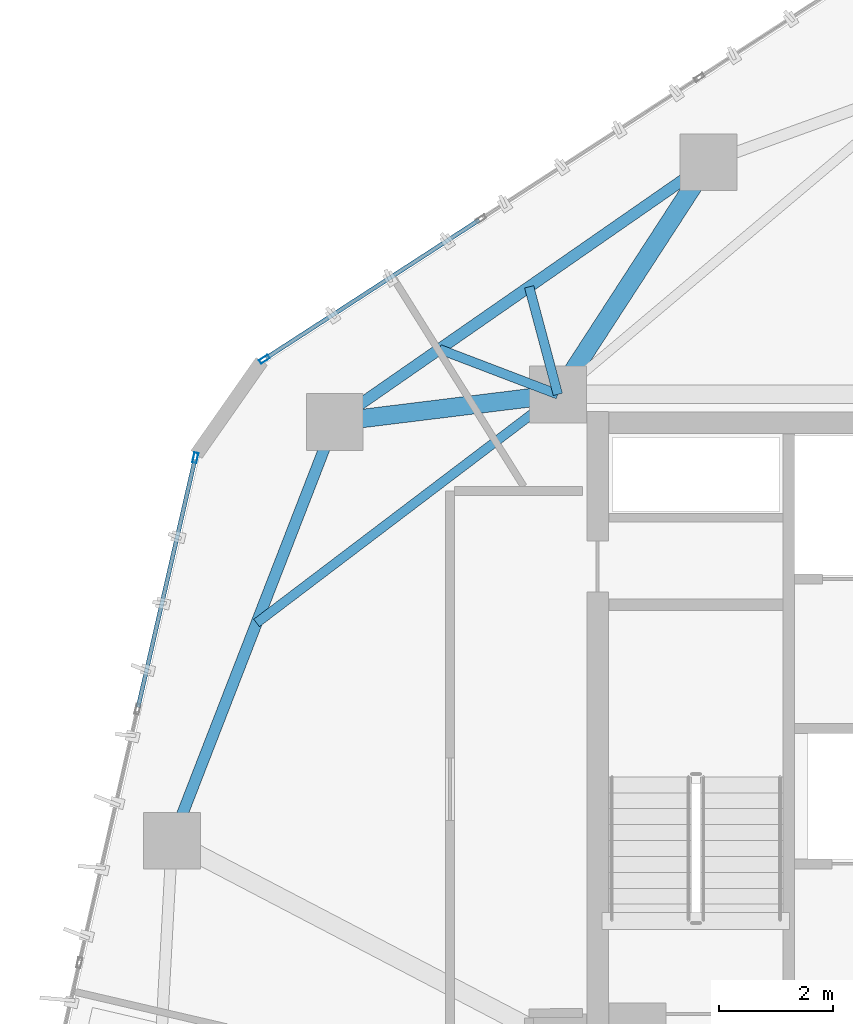
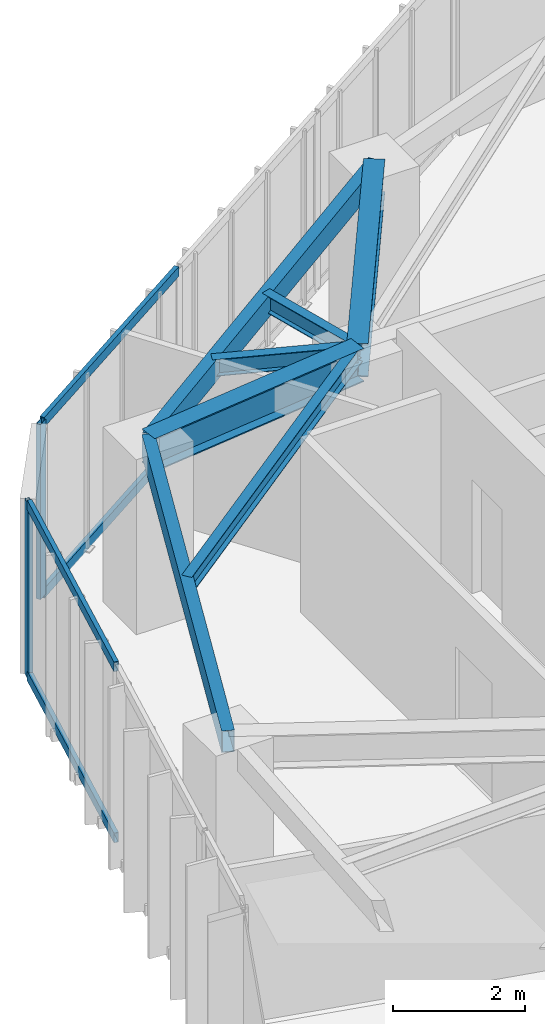
# One storey, part 7 of 18: 7 beams, 6 members, 2 elements without a shape of their own.
"""IFC4 building model written with IfcOpenShell, lengths in metres."""

from ifc_helpers import new_model, si_unit, direction, frame, origin, origin_2d, place, context, subcontext, project, spatial, hollow_rectangle, i_section, extrude, source, transform, mapped, material, layer, layer_set, material_profile, profile_set, type_object, type_shapes, element, aggregate, save


model = new_model("IFC4")

# Units and contexts
model_context = context("Model", 3, precision=1e-05, world=origin(), true_north=direction((0.0, 1.0)))
body_context = subcontext(model_context, "Body", "Model", "MODEL_VIEW")
ifc_project = project(units=[si_unit("LENGTHUNIT", "METRE"), si_unit("AREAUNIT", "SQUARE_METRE"), si_unit("VOLUMEUNIT", "CUBIC_METRE"), si_unit("PLANEANGLEUNIT", "RADIAN"), si_unit("MASSUNIT", "GRAM", prefix="KILO")], contexts=[model_context])

# Site, building, storey
site_placement = place(None, origin())
site = spatial("IfcSite", under=ifc_project, at=site_placement, CompositionType="ELEMENT")
building_placement = place(site_placement, origin())
building = spatial("IfcBuilding", under=site, at=building_placement, Name="Talar Marvaseh", CompositionType="ELEMENT")
storey_placement = place(building_placement, frame((0.0, 0.0, 188.0)))
storey = spatial("IfcBuildingStorey", under=building, at=storey_placement, Name="L49", CompositionType="ELEMENT", Elevation=188.0)

# Beams
ifc_material_1 = material(Name="Steel S355", Category="steel")
ifc_material_profile_1 = material_profile(ifc_material_1, hollow_rectangle(XDim=0.199951171875, YDim=0.39990234375, WallThickness=0.013916015625, at=origin_2d()), Name="RHS400x200x14")
ifc_profile_set_1 = profile_set([ifc_material_profile_1], Name="Steel S355")
beam_type_1 = type_object("IfcBeamType", Name="Zone 3 Perimeter Spandrel Beam RHS400x200x14", PredefinedType="SPANDREL", material=ifc_profile_set_1)
beam_1_placement = place(storey_placement, frame((11.908935546875, 29.044921875, 3.030029296875), z_axis=(0.362169134611, 0.932112395548, 0.0), x_axis=(-0.932112395548, 0.362169134611, 0.0)))
element("IfcBeam", 1, at=beam_1_placement, inside=storey, type_object=beam_type_1, Name="L49 Zone 3 Perimeter Spandrel Beam RHS400x200x14", PredefinedType="SPANDREL", context=body_context, shape_type="SweptSolid", body=[
    extrude(hollow_rectangle(XDim=0.199951171875, YDim=0.39990234375, WallThickness=0.013916015625, at=origin_2d()), origin(), (0.0, 0.0, 1.0), 7.907958984375),
])
beam_2_placement = place(storey_placement, frame((14.77294921875, 36.416015625, 3.030029296875), z_axis=(0.821296978901, 0.570500896098, 0.0), x_axis=(-0.570500896098, 0.821296978901, 0.0)))
element("IfcBeam", 2, at=beam_2_placement, inside=storey, type_object=beam_type_1, Name="L49 Zone 3 Perimeter Spandrel Beam RHS400x200x14", PredefinedType="SPANDREL", context=body_context, shape_type="SweptSolid", body=[
    extrude(hollow_rectangle(XDim=0.199951171875, YDim=0.39990234375, WallThickness=0.013916015625, at=origin_2d()), origin(), (0.0, 0.0, 1.0), 8.0107421875),
])
ifc_material_profile_2 = material_profile(ifc_material_1, i_section(OverallWidth=0.324951171875, OverallDepth=0.615966796875, WebThickness=0.013916015625, FlangeThickness=0.021484375, at=origin_2d()), Name="W610x174")
ifc_profile_set_2 = profile_set([ifc_material_profile_2], Name="Steel S355")
beam_type_2 = type_object("IfcBeamType", Name="Zone 3 Radial Floor Girder W610x174", PredefinedType="BEAM", material=ifc_profile_set_2)
beam_3_placement = place(storey_placement, frame((14.77294921875, 36.416015625, 2.922119140625), z_axis=(0.99249373738, 0.122295467049, 0.0), x_axis=(-0.122295467049, 0.99249373738, 0.0)))
element("IfcBeam", 3, at=beam_3_placement, inside=storey, type_object=beam_type_2, Name="L49 Zone 3 Radial Floor Girder W610x174", PredefinedType="BEAM", context=body_context, shape_type="SweptSolid", body=[
    extrude(i_section(OverallWidth=0.324951171875, OverallDepth=0.615966796875, WebThickness=0.013916015625, FlangeThickness=0.021484375, at=origin_2d()), origin(), (0.0, 0.0, 1.0), 3.956787109375),
])
beam_4_placement = place(storey_placement, frame((21.35205078125, 40.986083984375, 2.922119140625), z_axis=(-0.544422757063, -0.838810980849, 0.0), x_axis=(0.838810980849, -0.544422757063, 0.0)))
element("IfcBeam", 4, at=beam_4_placement, inside=storey, type_object=beam_type_2, Name="L49 Zone 3 Radial Floor Girder W610x174", PredefinedType="BEAM", context=body_context, shape_type="SweptSolid", body=[
    extrude(i_section(OverallWidth=0.324951171875, OverallDepth=0.615966796875, WebThickness=0.013916015625, FlangeThickness=0.021484375, at=origin_2d()), origin(), (0.0, 0.0, 1.0), 4.871337890625),
])
ifc_material_profile_3 = material_profile(ifc_material_1, i_section(OverallWidth=0.166015625, OverallDepth=0.31298828125, WebThickness=0.006591796875, FlangeThickness=0.01123046875, at=origin_2d()), Name="W310x45")
ifc_profile_set_3 = profile_set([ifc_material_profile_3], Name="Steel S355")
beam_type_3 = type_object("IfcBeamType", Name="Zone 3 Secondary Floor Joist W310x45", PredefinedType="JOIST", material=ifc_profile_set_3)
beam_5_placement = place(storey_placement, frame((13.398193359375, 32.8779296875, 3.073486328125), z_axis=(0.796694925744, 0.604381663598, 0.0), x_axis=(-0.604381663598, 0.796694925744, 0.0)))
element("IfcBeam", 5, at=beam_5_placement, inside=storey, type_object=beam_type_3, Name="L49 Zone 3 Secondary Floor Joist W310x45", PredefinedType="JOIST", context=body_context, shape_type="SweptSolid", body=[
    extrude(i_section(OverallWidth=0.166015625, OverallDepth=0.31298828125, WebThickness=0.006591796875, FlangeThickness=0.01123046875, at=origin_2d()), origin(), (0.0, 0.0, 1.0), 6.65478515625),
])
beam_6_placement = place(storey_placement, frame((16.614990234375, 37.695556640625, 3.073486328125), z_axis=(0.934281341688, -0.356536638473, 0.0), x_axis=(0.356536638473, 0.934281341688, 0.0)))
element("IfcBeam", 6, at=beam_6_placement, inside=storey, type_object=beam_type_3, Name="L49 Zone 3 Secondary Floor Joist W310x45", PredefinedType="JOIST", context=body_context, shape_type="SweptSolid", body=[
    extrude(i_section(OverallWidth=0.166015625, OverallDepth=0.31298828125, WebThickness=0.006591796875, FlangeThickness=0.01123046875, at=origin_2d()), origin(), (0.0, 0.0, 1.0), 2.231689453125),
])
beam_7_placement = place(storey_placement, frame((18.194091796875, 38.79248046875, 3.073486328125), z_axis=(0.258221088864, -0.966085849842, 0.0), x_axis=(0.966085849842, 0.258221088864, 0.0)))
element("IfcBeam", 7, at=beam_7_placement, inside=storey, type_object=beam_type_3, Name="L49 Zone 3 Secondary Floor Joist W310x45", PredefinedType="JOIST", context=body_context, shape_type="SweptSolid", body=[
    extrude(i_section(OverallWidth=0.166015625, OverallDepth=0.31298828125, WebThickness=0.006591796875, FlangeThickness=0.01123046875, at=origin_2d()), origin(), (0.0, 0.0, 1.0), 1.958984375),
])

# Curtain wall, member
ifc_material_2 = material(Name="Architectural Aluminium", Category="aluminium")
ifc_layer = layer(ifc_material_2, 0.18994140625)
ifc_layer_set = layer_set([ifc_layer], Name="Architectural Aluminium")
curtain_wall_type = type_object("IfcCurtainWallType", Name="Unitised Solar Atelier Curtain Wall Z3", PredefinedType="NOTDEFINED", material=ifc_layer_set)
curtain_wall_1_placement = place(storey_placement, origin())
curtain_wall_1 = element("IfcCurtainWall", 8, at=curtain_wall_1_placement, inside=storey, type_object=curtain_wall_type, Name="L49 Unitised Solar Atelier Curtain Wall Z3", PredefinedType="NOTDEFINED")
ifc_material_profile_4 = material_profile(ifc_material_2, hollow_rectangle(XDim=0.074951171875, YDim=0.179931640625, WallThickness=0.0048828125, at=origin_2d()), Name="RHS180x75x5")
ifc_profile_set_4 = profile_set([ifc_material_profile_4], Name="Architectural Aluminium")
member_type_1 = type_object("IfcMemberType", Name="Unitised Curtain Wall Standard Mullion RHS180x75x5", PredefinedType="MULLION", material=ifc_profile_set_4)
shared_shape_1 = source(origin(), body_context, "Body", "SweptSolid", [
    extrude(hollow_rectangle(XDim=0.074951171875, YDim=0.179931640625, WallThickness=0.0048828125, at=origin_2d()), origin(), (0.0, 0.0, 1.0), 3.22998046875),
])
type_shapes(member_type_1, [shared_shape_1])
member_1_placement = place(storey_placement, frame((12.32177734375, 35.784912109375, 0.0), z_axis=(0.0, 0.0, 1.0), x_axis=(-0.97463596789, 0.223796179806, 0.0)))
member_1 = element("IfcMember", 9, at=member_1_placement, type_object=member_type_1, Name="CW-Z3 mullion 4", PredefinedType="MULLION", context=body_context, shape_type="MappedRepresentation", body=[
    mapped(shared_shape_1, transform((0.0, 0.0, 0.0), x_axis=(1.0, 0.0, 0.0), y_axis=(0.0, 1.0, 0.0), z_axis=(0.0, 0.0, 1.0), scale=1.0)),
])

curtain_wall_2_placement = place(storey_placement, origin())
curtain_wall_2 = element("IfcCurtainWall", 10, at=curtain_wall_2_placement, inside=storey, type_object=curtain_wall_type, Name="L49 Unitised Solar Atelier Curtain Wall Z3", PredefinedType="NOTDEFINED")
member_2_placement = place(storey_placement, frame((13.536376953125, 37.519775390625, 0.0), z_axis=(0.0, 0.0, 1.0), x_axis=(-0.543642251332, 0.839317045321, 0.0)))
member_2 = element("IfcMember", 11, at=member_2_placement, type_object=member_type_1, Name="CW-Z3 mullion 1", PredefinedType="MULLION", context=body_context, shape_type="MappedRepresentation", body=[
    mapped(shared_shape_1, transform((0.0, 0.0, 0.0), x_axis=(1.0, 0.0, 0.0), y_axis=(0.0, 1.0, 0.0), z_axis=(0.0, 0.0, 1.0), scale=1.0)),
])

# Member
ifc_material_profile_5 = material_profile(ifc_material_2, hollow_rectangle(XDim=0.074951171875, YDim=0.179931640625, WallThickness=0.0048828125, at=origin_2d()), Name="RHS180x75x5")
ifc_profile_set_5 = profile_set([ifc_material_profile_5], Name="Architectural Aluminium")
member_type_2 = type_object("IfcMemberType", Name="Unitised Curtain Wall Transom RHS180x75x5", PredefinedType="USERDEFINED", material=ifc_profile_set_5)
shared_shape_2 = source(origin(), body_context, "Body", "SweptSolid", [
    extrude(hollow_rectangle(XDim=0.074951171875, YDim=0.179931640625, WallThickness=0.0048828125, at=origin_2d()), origin(), (0.0, 0.0, 1.0), 4.464599609375),
])
type_shapes(member_type_2, [shared_shape_2])
member_3_placement = place(storey_placement, frame((11.314208984375, 31.39697265625, 0.03759765625), z_axis=(0.223769054912, 0.974642195918, 0.0), x_axis=(-0.974642195918, 0.223769054912, 0.0)))
member_3 = element("IfcMember", 12, at=member_3_placement, type_object=member_type_2, Name="CW-Z3 transom 3.1", ObjectType="TRANSOM", PredefinedType="USERDEFINED", context=body_context, shape_type="MappedRepresentation", body=[
    mapped(shared_shape_2, transform((0.0, 0.0, 0.0), x_axis=(1.0, 0.0, 0.0), y_axis=(0.0, 1.0, 0.0), z_axis=(0.0, 0.0, 1.0), scale=1.0)),
])

member_4_placement = place(storey_placement, frame((11.314208984375, 31.39697265625, 3.1923828125), z_axis=(0.223769054912, 0.974642195918, 0.0), x_axis=(-0.974642195918, 0.223769054912, 0.0)))
member_4 = element("IfcMember", 13, at=member_4_placement, type_object=member_type_2, Name="CW-Z3 transom 3.2", ObjectType="TRANSOM", PredefinedType="USERDEFINED", context=body_context, shape_type="MappedRepresentation", body=[
    mapped(shared_shape_2, transform((0.0, 0.0, 0.0), x_axis=(1.0, 0.0, 0.0), y_axis=(0.0, 1.0, 0.0), z_axis=(0.0, 0.0, 1.0), scale=1.0)),
])

aggregate(curtain_wall_1, [member_1, member_3, member_4])

member_5_placement = place(storey_placement, frame((13.56787109375, 37.540283203125, 0.03759765625), z_axis=(0.83933827569, 0.543609472841, 0.0), x_axis=(-0.543609472841, 0.83933827569, 0.0)))
member_5 = element("IfcMember", 14, at=member_5_placement, type_object=member_type_2, Name="CW-Z3 transom 1.1", ObjectType="TRANSOM", PredefinedType="USERDEFINED", context=body_context, shape_type="MappedRepresentation", body=[
    mapped(shared_shape_2, transform((0.0, 0.0, 0.0), x_axis=(1.0, 0.0, 0.0), y_axis=(0.0, 1.0, 0.0), z_axis=(0.0, 0.0, 1.0), scale=1.0)),
])

member_6_placement = place(storey_placement, frame((13.56787109375, 37.540283203125, 3.1923828125), z_axis=(0.83933827569, 0.543609472841, 0.0), x_axis=(-0.543609472841, 0.83933827569, 0.0)))
member_6 = element("IfcMember", 15, at=member_6_placement, type_object=member_type_2, Name="CW-Z3 transom 1.2", ObjectType="TRANSOM", PredefinedType="USERDEFINED", context=body_context, shape_type="MappedRepresentation", body=[
    mapped(shared_shape_2, transform((0.0, 0.0, 0.0), x_axis=(1.0, 0.0, 0.0), y_axis=(0.0, 1.0, 0.0), z_axis=(0.0, 0.0, 1.0), scale=1.0)),
])

aggregate(curtain_wall_2, [member_2, member_5, member_6])

save(model, "model.ifc")
